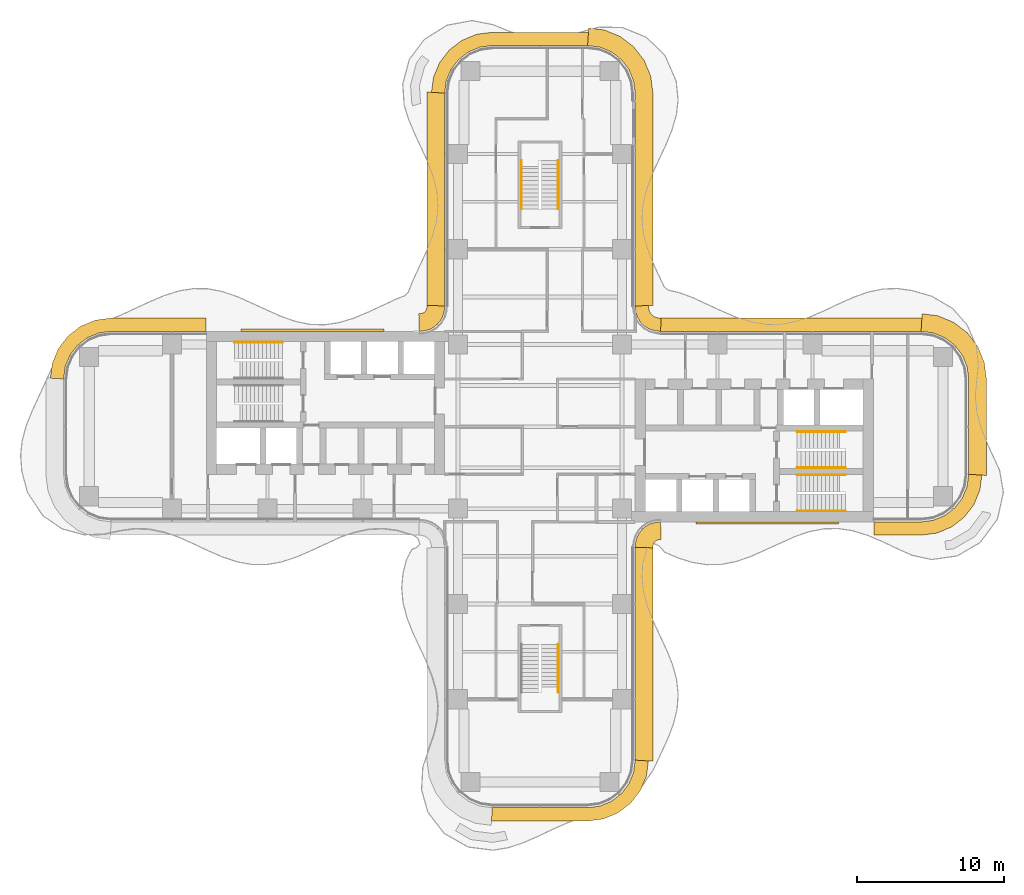
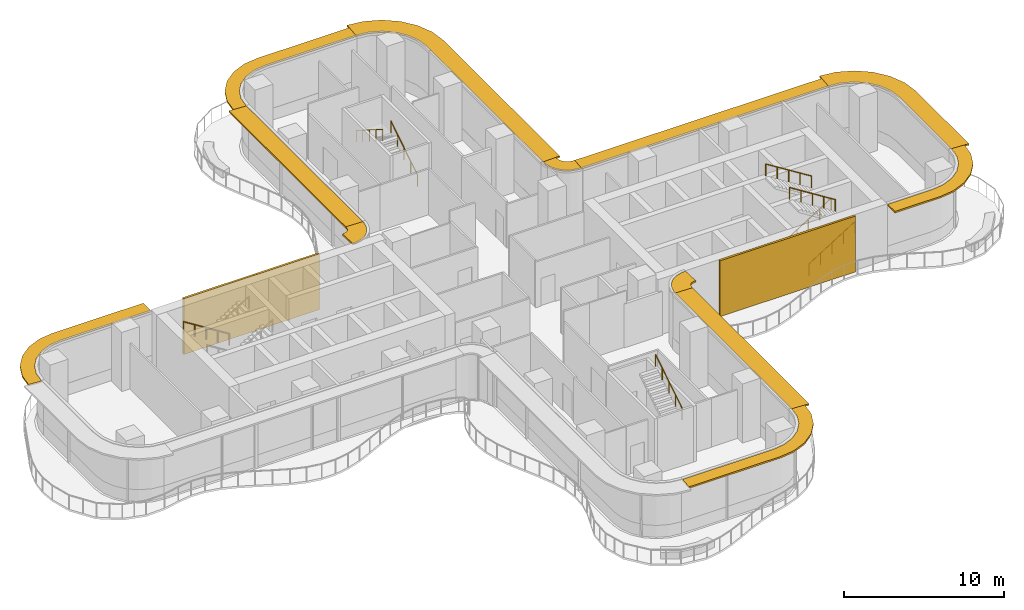
# One storey, part 20 of 20: 12 shading devices, 8 railings, 2 coverings.
"""IFC4 building model written with IfcOpenShell, lengths in metres."""

import ifcopenshell
import ifcopenshell.guid

model = None  # the IFC model being written
_history = None  # IfcOwnerHistory: only IFC2X3 demands one
_inside = {}  # id of a spatial element -> (the spatial element, [elements in it])
_under = {}  # id of a project, library or spatial element -> (it, [spatial elements below it])
_declared = {}  # id of a project -> (the project, [libraries it declares])
_typed = {}  # id of a type object -> (the type object, [elements of that type])
_made_of = {}  # id of a material, layer set ... -> (it, [elements and type objects made of it])


def new_model(schema):
    """Start an empty IFC model of exactly this schema.

    Asked for "IFC4X3", IfcOpenShell would pick the latest addendum, in which some entities
    have other attributes; the version numbers below select the first issue.
    IFC2X3 requires an IfcOwnerHistory on every rooted entity: one is made here for all.
    """
    global model, _history
    if schema == "IFC4X3":
        model = ifcopenshell.file(schema_version=(4, 3, 0, 0))
    else:
        model = ifcopenshell.file(schema=schema)
    _inside.clear()
    _under.clear()
    _declared.clear()
    _typed.clear()
    _made_of.clear()
    _history = None
    if model.schema == "IFC2X3":
        org = make("IfcOrganization", Name="unknown")
        user = make(
            "IfcPersonAndOrganization",
            ThePerson=make("IfcPerson", FamilyName="unknown"),
            TheOrganization=org,
        )
        app = make(
            "IfcApplication",
            ApplicationDeveloper=org,
            Version="unknown",
            ApplicationFullName="unknown",
            ApplicationIdentifier="unknown",
        )
        _history = make(
            "IfcOwnerHistory",
            OwningUser=user,
            OwningApplication=app,
            ChangeAction="ADDED",
            CreationDate=0,
        )
    return model


def make(cls, **values):
    """One entity of the class cls with the attributes given. An attribute that is None is left unset."""
    return model.create_entity(
        cls, **{name: value for name, value in values.items() if value is not None}
    )


def rooted(cls, **values):
    """An entity with a GlobalId (a new one), such as an element, a storey or a relation."""
    return make(cls, GlobalId=ifcopenshell.guid.new(), OwnerHistory=_history, **values)


def si_unit(unit_type, name, prefix=None):
    """IfcSIUnit, for example si_unit("LENGTHUNIT", "METRE", prefix="MILLI")."""
    return make("IfcSIUnit", UnitType=unit_type, Prefix=prefix, Name=name)


def assignment(units):
    """IfcUnitAssignment: the units of a project."""
    return None if units is None else make("IfcUnitAssignment", Units=units)


def point(xyz):
    """IfcCartesianPoint."""
    return None if xyz is None else make("IfcCartesianPoint", Coordinates=xyz)


def direction(xyz):
    """IfcDirection."""
    return None if xyz is None else make("IfcDirection", DirectionRatios=xyz)


def frame(location, z_axis=None, x_axis=None):
    """IfcAxis2Placement3D, a coordinate frame: its origin and axes. An axis left out is left unset."""
    return make(
        "IfcAxis2Placement3D",
        Location=point(location),
        Axis=direction(z_axis),
        RefDirection=direction(x_axis),
    )


def frame_2d(location, x_axis=None):
    """IfcAxis2Placement2D, a coordinate frame in the plane: its origin and x axis."""
    return make(
        "IfcAxis2Placement2D", Location=point(location), RefDirection=direction(x_axis)
    )


def origin():
    """The frame at (0, 0, 0) with its axes left unset."""
    return frame((0.0, 0.0, 0.0))


def origin_2d():
    """The frame at (0, 0) in the plane with its x axis left unset."""
    return frame_2d((0.0, 0.0))


def place(relative_to, where):
    """IfcLocalPlacement: puts the frame where relative to a parent placement (None: the world)."""
    return make(
        "IfcLocalPlacement", PlacementRelTo=relative_to, RelativePlacement=where
    )


def context(
    kind, dimensions, precision=None, world=None, true_north=None, identifier=None
):
    """IfcGeometricRepresentationContext, for example the 3D "Model" context."""
    return make(
        "IfcGeometricRepresentationContext",
        ContextIdentifier=identifier,
        ContextType=kind,
        CoordinateSpaceDimension=dimensions,
        Precision=precision,
        WorldCoordinateSystem=world,
        TrueNorth=true_north,
    )


def subcontext(parent, identifier, kind, view, scale=None):
    """IfcGeometricRepresentationSubContext, for example "Body" below "Model"."""
    return make(
        "IfcGeometricRepresentationSubContext",
        ContextIdentifier=identifier,
        ContextType=kind,
        ParentContext=parent,
        TargetScale=scale,
        TargetView=view,
    )


def project(units=None, contexts=None):
    """IfcProject with its units and contexts."""
    return rooted(
        "IfcProject",
        Name="project",
        RepresentationContexts=contexts,
        UnitsInContext=assignment(units),
    )


def spatial(cls, under=None, at=None, **own):
    """A site, building, storey or space (cls), placed at a placement, below another one or the project."""
    s = rooted(cls, ObjectPlacement=at, **own)
    if under is not None:
        _under.setdefault(under.id(), (under, []))[1].append(s)
    return s


def polyline(points):
    """IfcPolyline through the points."""
    return make("IfcPolyline", Points=[point(p) for p in points])


def profile(cls, at=None, kind="AREA", **sizes):
    """A parametric profile (cls). Its sizes go by their IFC names, for example OverallWidth=200.0."""
    return make(cls, ProfileType=kind, Position=at, **sizes)


def circle(**sizes):
    """IfcCircleProfileDef."""
    return profile("IfcCircleProfileDef", **sizes)


def outline(outer, holes=None, kind="AREA"):
    """IfcArbitraryClosedProfileDef: a profile drawn as a closed curve; with holes, ...WithVoids."""
    if holes is None:
        return make("IfcArbitraryClosedProfileDef", ProfileType=kind, OuterCurve=outer)
    return make(
        "IfcArbitraryProfileDefWithVoids",
        ProfileType=kind,
        OuterCurve=outer,
        InnerCurves=holes,
    )


def extrude(swept, where, along, depth):
    """IfcExtrudedAreaSolid: the profile swept, set in the frame where, extruded along a direction by depth."""
    return make(
        "IfcExtrudedAreaSolid",
        SweptArea=swept,
        Position=where,
        ExtrudedDirection=direction(along),
        Depth=depth,
    )


def shape(context_of_items, identifier, shape_type, items):
    """IfcShapeRepresentation: the items that make up one representation, for example the "Body"."""
    return make(
        "IfcShapeRepresentation",
        ContextOfItems=context_of_items,
        RepresentationIdentifier=identifier,
        RepresentationType=shape_type,
        Items=items,
    )


def source(mapping_origin, context_of_items, identifier, shape_type, items):
    """IfcRepresentationMap: a shape defined once, which mapped items show again and again."""
    return make(
        "IfcRepresentationMap",
        MappingOrigin=mapping_origin,
        MappedRepresentation=shape(context_of_items, identifier, shape_type, items),
    )


def transform(
    local_origin,
    x_axis=None,
    y_axis=None,
    z_axis=None,
    scale=None,
    scale2=None,
    scale3=None,
    uniform=True,
):
    """IfcCartesianTransformationOperator3D, or its non-uniform kind. x_axis, y_axis, z_axis: its Axis1, 2, 3."""
    if uniform:
        return make(
            "IfcCartesianTransformationOperator3D",
            Axis1=direction(x_axis),
            Axis2=direction(y_axis),
            LocalOrigin=point(local_origin),
            Scale=scale,
            Axis3=direction(z_axis),
        )
    return make(
        "IfcCartesianTransformationOperator3DnonUniform",
        Axis1=direction(x_axis),
        Axis2=direction(y_axis),
        LocalOrigin=point(local_origin),
        Scale=scale,
        Axis3=direction(z_axis),
        Scale2=scale2,
        Scale3=scale3,
    )


def mapped(mapping_source, mapping_target):
    """IfcMappedItem: shows the shape of a source again, moved by a transform."""
    return make(
        "IfcMappedItem", MappingSource=mapping_source, MappingTarget=mapping_target
    )


def material(Name=None, Category=None):
    """IfcMaterial."""
    return make("IfcMaterial", Name=Name, Category=Category)


def layer(
    of_material, thickness, ventilated=None, Name=None, Category=None, Priority=None
):
    """IfcMaterialLayer: one layer of a wall or slab, of a material (None: an air gap)."""
    return make(
        "IfcMaterialLayer",
        Material=of_material,
        LayerThickness=thickness,
        IsVentilated=ventilated,
        Name=Name,
        Category=Category,
        Priority=Priority,
    )


def layer_set(layers, Name=None):
    """IfcMaterialLayerSet."""
    return make("IfcMaterialLayerSet", MaterialLayers=layers, LayerSetName=Name)


def made_of(thing, what):
    """Note that an element or type object is made of a material, layer set ...; save() writes the relation."""
    if what is not None:
        _made_of.setdefault(what.id(), (what, []))[1].append(thing)
    return thing


def type_object(cls, material=None, **own):
    """A type object (cls), such as IfcWallType, which elements share."""
    return made_of(rooted(cls, **own), material)


def element(
    cls,
    number,
    at=None,
    inside=None,
    cuts=None,
    type_object=None,
    material=None,
    context=None,
    identifier="Body",
    shape_type=None,
    held_by="IfcProductDefinitionShape",
    body=None,
    shapes=None,
    **own,
):
    """One element of the class cls, such as IfcWall. Its Tag is "e" and its number.

    at: its placement. inside: the storey or other place that contains it. cuts: it is an
    opening in that element (IfcRelVoidsElement). A single representation is given by context,
    identifier, shape_type and body (its items); several are given by shapes. held_by: the class
    of the entity that holds the representations. save() writes the other relations.
    """
    e = rooted(cls, Tag="e%d" % number, ObjectPlacement=at, **own)
    if body is not None:
        shapes = [shape(context, identifier, shape_type, body)]
    if shapes is not None:
        e.Representation = make(held_by, Representations=shapes)
    if inside is not None:
        _inside.setdefault(inside.id(), (inside, []))[1].append(e)
    if cuts is not None:
        rooted(
            "IfcRelVoidsElement", RelatingBuildingElement=cuts, RelatedOpeningElement=e
        )
    if type_object is not None:
        _typed.setdefault(type_object.id(), (type_object, []))[1].append(e)
    return made_of(e, material)


def aggregate(whole, parts):
    """IfcRelAggregates: a whole, such as a stair, and the parts it consists of."""
    return rooted("IfcRelAggregates", RelatingObject=whole, RelatedObjects=parts)


def save(model, path):
    """Write the relations noted so far, then the file.

    IfcRelAggregates (storeys below a building ...), IfcRelContainedInSpatialStructure (elements
    in a storey), IfcRelDefinesByType, IfcRelAssociatesMaterial and IfcRelDeclares: one each for
    every whole, place, type object, material and project.
    """
    for whole, parts in _under.values():
        aggregate(whole, parts)
    for where, things in _inside.values():
        rooted(
            "IfcRelContainedInSpatialStructure",
            RelatedElements=things,
            RelatingStructure=where,
        )
    for kind, things in _typed.values():
        rooted("IfcRelDefinesByType", RelatedObjects=things, RelatingType=kind)
    for what, things in _made_of.values():
        rooted("IfcRelAssociatesMaterial", RelatedObjects=things, RelatingMaterial=what)
    for by, libraries in _declared.values():
        rooted("IfcRelDeclares", RelatingContext=by, RelatedDefinitions=libraries)
    model.write(path)


model = new_model("IFC4")

# Units and contexts
model_context = context("Model", 3, precision=1e-05, world=origin(), true_north=direction((0.0, 1.0)))
body_context = subcontext(model_context, "Body", "Model", "MODEL_VIEW")
ifc_project = project(units=[si_unit("LENGTHUNIT", "METRE"), si_unit("AREAUNIT", "SQUARE_METRE"), si_unit("VOLUMEUNIT", "CUBIC_METRE"), si_unit("PLANEANGLEUNIT", "RADIAN"), si_unit("MASSUNIT", "GRAM", prefix="KILO")], contexts=[model_context])

# Site, building, storey
site_placement = place(None, origin())
site = spatial("IfcSite", under=ifc_project, at=site_placement, CompositionType="ELEMENT")
building_placement = place(site_placement, origin())
building = spatial("IfcBuilding", under=site, at=building_placement, Name="Trellis Farm Tower", CompositionType="ELEMENT")
storey_placement = place(building_placement, frame((0.0, 0.0, 129.0)))
storey = spatial("IfcBuildingStorey", under=building, at=storey_placement, Name="L27", CompositionType="ELEMENT", Elevation=129.0)

# Railings
ifc_material_1 = material(Name="Stainless steel", Category="steel")
railing_type = type_object("IfcRailingType", Name="STAIR HANDRAIL 900", PredefinedType="HANDRAIL", material=ifc_material_1)
shared_shape_1 = source(origin(), body_context, "Body", "SweptSolid", [
    extrude(circle(Radius=0.02392578125, at=origin_2d()), frame((0.0, 0.0, 0.8759765625), z_axis=(0.0, 0.846319618018, 0.532675421018), x_axis=(-1.0, 0.0, 0.0)), (0.0, 0.0, 1.0), 3.89892578125),
    extrude(circle(Radius=0.02099609375, at=origin_2d()), origin(), (0.0, 0.0, 1.0), 0.851806640625),
    extrude(circle(Radius=0.02099609375, at=origin_2d()), frame((0.0, 0.824951171875, 0.519287109375)), (0.0, 0.0, 1.0), 0.851806640625),
    extrude(circle(Radius=0.02099609375, at=origin_2d()), frame((0.0, 1.64990234375, 1.03857421875)), (0.0, 0.0, 1.0), 0.851806640625),
    extrude(circle(Radius=0.02099609375, at=origin_2d()), frame((0.0, 2.474853515625, 1.5576171875)), (0.0, 0.0, 1.0), 0.851806640625),
    extrude(circle(Radius=0.02099609375, at=origin_2d()), frame((0.0, 3.2998046875, 2.076904296875)), (0.0, 0.0, 1.0), 0.851806640625),
])
for number, where, name in (
    (1, (1.25, 14.85009765625, 0.173095703125), "Stair handrail"),
    (2, (1.25, -18.14990234375, 2.423095703125), "Stair handrail"),
):
    element("IfcRailing", number, at=place(storey_placement, frame(where)), inside=storey, type_object=railing_type, Name=name, PredefinedType="HANDRAIL", context=body_context, shape_type="MappedRepresentation", body=[
        mapped(shared_shape_1, transform((0.0, 0.0, 0.0))),
    ])
shared_shape_2 = source(origin(), body_context, "Body", "SweptSolid", [
    extrude(circle(Radius=0.02392578125, at=origin_2d()), frame((0.0, 0.0, 0.8759765625), z_axis=(0.0, -0.846319618018, 0.532675421018), x_axis=(1.0, 0.0, 0.0)), (0.0, 0.0, 1.0), 3.89892578125),
    extrude(circle(Radius=0.02099609375, at=origin_2d()), origin(), (0.0, 0.0, 1.0), 0.851806640625),
    extrude(circle(Radius=0.02099609375, at=origin_2d()), frame((0.0, -0.824951171875, 0.519287109375)), (0.0, 0.0, 1.0), 0.851806640625),
    extrude(circle(Radius=0.02099609375, at=origin_2d()), frame((0.0, -1.64990234375, 1.03857421875)), (0.0, 0.0, 1.0), 0.851806640625),
    extrude(circle(Radius=0.02099609375, at=origin_2d()), frame((0.0, -2.474853515625, 1.5576171875)), (0.0, 0.0, 1.0), 0.851806640625),
    extrude(circle(Radius=0.02099609375, at=origin_2d()), frame((0.0, -3.2998046875, 2.076904296875)), (0.0, 0.0, 1.0), 0.851806640625),
])
railing_placement = place(storey_placement, frame((-1.25, 18.14990234375, 2.423095703125)))
element("IfcRailing", 3, at=railing_placement, inside=storey, type_object=railing_type, Name="Stair handrail", PredefinedType="HANDRAIL", context=body_context, shape_type="MappedRepresentation", body=[
    mapped(shared_shape_2, transform((0.0, 0.0, 0.0))),
])
shared_shape_3 = source(origin(), body_context, "Body", "SweptSolid", [
    extrude(circle(Radius=0.02392578125, at=origin_2d()), frame((0.0, 0.0, 0.8759765625), z_axis=(0.846337383501, 0.0, 0.532647194011), x_axis=(0.0, 1.0, 0.0)), (0.0, 0.0, 1.0), 3.899169921875),
    extrude(circle(Radius=0.02099609375, at=origin_2d()), origin(), (0.0, 0.0, 1.0), 0.851806640625),
    extrude(circle(Radius=0.02099609375, at=origin_2d()), frame((0.824951171875, 0.0, 0.519287109375)), (0.0, 0.0, 1.0), 0.851806640625),
    extrude(circle(Radius=0.02099609375, at=origin_2d()), frame((1.64990234375, 0.0, 1.03857421875)), (0.0, 0.0, 1.0), 0.851806640625),
    extrude(circle(Radius=0.02099609375, at=origin_2d()), frame((2.47509765625, 0.0, 1.5576171875)), (0.0, 0.0, 1.0), 0.851806640625),
    extrude(circle(Radius=0.02099609375, at=origin_2d()), frame((3.300048828125, 0.0, 2.076904296875)), (0.0, 0.0, 1.0), 0.851806640625),
])
for number, where, name in (
    (4, (17.550048828125, -5.75, 0.173095703125), "Stair handrail"),
    (5, (17.550048828125, -2.800048828125, 0.173095703125), "Stair handrail"),
):
    element("IfcRailing", number, at=place(storey_placement, frame(where)), inside=storey, type_object=railing_type, Name=name, PredefinedType="HANDRAIL", context=body_context, shape_type="MappedRepresentation", body=[
        mapped(shared_shape_3, transform((0.0, 0.0, 0.0))),
    ])
shared_shape_4 = source(origin(), body_context, "Body", "SweptSolid", [
    extrude(circle(Radius=0.02392578125, at=origin_2d()), frame((0.0, 0.0, 0.8759765625), z_axis=(-0.846337383501, 0.0, 0.532647194011), x_axis=(0.0, -1.0, 0.0)), (0.0, 0.0, 1.0), 3.899169921875),
    extrude(circle(Radius=0.02099609375, at=origin_2d()), origin(), (0.0, 0.0, 1.0), 0.851806640625),
    extrude(circle(Radius=0.02099609375, at=origin_2d()), frame((-0.824951171875, 0.0, 0.519287109375)), (0.0, 0.0, 1.0), 0.851806640625),
    extrude(circle(Radius=0.02099609375, at=origin_2d()), frame((-1.64990234375, 0.0, 1.03857421875)), (0.0, 0.0, 1.0), 0.851806640625),
    extrude(circle(Radius=0.02099609375, at=origin_2d()), frame((-2.47509765625, 0.0, 1.5576171875)), (0.0, 0.0, 1.0), 0.851806640625),
    extrude(circle(Radius=0.02099609375, at=origin_2d()), frame((-3.300048828125, 0.0, 2.076904296875)), (0.0, 0.0, 1.0), 0.851806640625),
])
for number, where, name in (
    (6, (20.85009765625, -3.300048828125, 2.423095703125), "Stair handrail"),
    (7, (20.85009765625, -0.35009765625, 2.423095703125), "Stair handrail"),
    (8, (-17.550048828125, 5.75, 0.173095703125), "Stair handrail"),
):
    element("IfcRailing", number, at=place(storey_placement, frame(where)), inside=storey, type_object=railing_type, Name=name, PredefinedType="HANDRAIL", context=body_context, shape_type="MappedRepresentation", body=[
        mapped(shared_shape_4, transform((0.0, 0.0, 0.0))),
    ])

# Shading devices
ifc_material_2 = material(Name="Aluminium extrusion 6063-T6", Category="aluminium")
ifc_layer_1 = layer(ifc_material_2, 0.1201171875)
ifc_layer_set_1 = layer_set([ifc_layer_1], Name="SUNSHADE BLADE 1200")
shading_device_type_1 = type_object("IfcShadingDeviceType", Name="SUNSHADE BLADE 1200", PredefinedType="USERDEFINED", material=ifc_layer_set_1)
shared_shape_5 = source(origin(), body_context, "Body", "SweptSolid", [
    extrude(outline(polyline([(7.699951171875, -8.270751953125), (7.708740234375, -8.13720703125), (7.70703125, -8.150146484375), (7.7548828125, -7.9716796875), (7.80712890625, -7.881103515625), (7.881103515625, -7.80712890625), (7.9716796875, -7.7548828125), (8.150146484375, -7.70703125), (8.13720703125, -7.708740234375), (8.270751953125, -7.699951171875), (8.2314453125, -6.5), (8.01953125, -6.513916015625), (7.91552734375, -6.527587890625), (7.508544921875, -6.63671875), (7.144287109375, -6.846923828125), (6.846923828125, -7.144287109375), (6.63671875, -7.508544921875), (6.527587890625, -7.91552734375), (6.513916015625, -8.01953125), (6.5, -8.2314453125), (7.699951171875, -8.270751953125)])), origin(), (0.0, 0.0, 1.0), 0.119873046875),
])
placement_1 = place(storey_placement, frame((0.0, 0.0, 4.090087890625)))
element("IfcShadingDevice", 9, at=placement_1, inside=storey, type_object=shading_device_type_1, Name="SD2 006", ObjectType="SUNSHADE", PredefinedType="USERDEFINED", context=body_context, shape_type="MappedRepresentation", body=[
    mapped(shared_shape_5, transform((0.0, 0.0, 0.0))),
])
ifc_layer_2 = layer(ifc_material_2, 0.1201171875)
ifc_layer_set_2 = layer_set([ifc_layer_2], Name="SUNSHADE BLADE 900")
shading_device_type_2 = type_object("IfcShadingDeviceType", Name="SUNSHADE BLADE 900", PredefinedType="USERDEFINED", material=ifc_layer_set_2)
shared_shape_6 = source(origin(), body_context, "Body", "SweptSolid", [
    extrude(outline(polyline([(8.2607421875, 7.39990234375), (8.107666015625, 7.409912109375), (8.091552734375, 7.412109375), (7.85595703125, 7.475341796875), (7.697021484375, 7.567138671875), (7.567138671875, 7.697021484375), (7.475341796875, 7.85595703125), (7.412109375, 8.091552734375), (7.409912109375, 8.107666015625), (7.39990234375, 8.2607421875), (6.5, 8.2314453125), (6.513916015625, 8.01953125), (6.527587890625, 7.91552734375), (6.63671875, 7.508544921875), (6.846923828125, 7.144287109375), (7.144287109375, 6.846923828125), (7.508544921875, 6.63671875), (7.91552734375, 6.527587890625), (8.01953125, 6.513916015625), (8.2314453125, 6.5), (8.2607421875, 7.39990234375)])), origin(), (0.0, 0.0, 1.0), 0.119873046875),
])
element("IfcShadingDevice", 10, at=placement_1, inside=storey, type_object=shading_device_type_2, Name="SD1 010", ObjectType="SUNSHADE", PredefinedType="USERDEFINED", context=body_context, shape_type="MappedRepresentation", body=[
    mapped(shared_shape_6, transform((0.0, 0.0, 0.0))),
])
shared_shape_7 = source(origin(), body_context, "Body", "SweptSolid", [
    extrude(outline(polyline([(-7.699951171875, 8.270751953125), (-7.708740234375, 8.13720703125), (-7.70703125, 8.150146484375), (-7.7548828125, 7.9716796875), (-7.80712890625, 7.881103515625), (-7.881103515625, 7.80712890625), (-7.9716796875, 7.7548828125), (-8.150146484375, 7.70703125), (-8.13720703125, 7.708740234375), (-8.270751953125, 7.699951171875), (-8.2314453125, 6.5), (-8.01953125, 6.513916015625), (-7.91552734375, 6.527587890625), (-7.508544921875, 6.63671875), (-7.144287109375, 6.846923828125), (-6.846923828125, 7.144287109375), (-6.63671875, 7.508544921875), (-6.527587890625, 7.91552734375), (-6.513916015625, 8.01953125), (-6.5, 8.2314453125), (-7.699951171875, 8.270751953125)])), origin(), (0.0, 0.0, 1.0), 0.119873046875),
])
element("IfcShadingDevice", 11, at=placement_1, inside=storey, type_object=shading_device_type_1, Name="SD2 014", ObjectType="SUNSHADE", PredefinedType="USERDEFINED", context=body_context, shape_type="MappedRepresentation", body=[
    mapped(shared_shape_7, transform((0.0, 0.0, 0.0))),
])
shared_shape_8 = source(origin(), body_context, "Body", "SweptSolid", [
    extrude(outline(polyline([(-22.780029296875, 7.39990234375), (-29.30908203125, 7.39990234375), (-30.326171875, 7.26611328125), (-31.328857421875, 6.850830078125), (-32.18994140625, 6.18994140625), (-32.850830078125, 5.328857421875), (-33.26611328125, 4.326171875), (-33.39990234375, 3.30908203125), (-32.5, 3.25), (-32.38916015625, 4.091064453125), (-32.064697265625, 4.875), (-31.548095703125, 5.548095703125), (-30.875, 6.064697265625), (-30.091064453125, 6.38916015625), (-29.25, 6.5), (-22.780029296875, 6.5), (-22.780029296875, 7.39990234375)])), origin(), (0.0, 0.0, 1.0), 0.119873046875),
])
element("IfcShadingDevice", 12, at=placement_1, inside=storey, type_object=shading_device_type_2, Name="SD1 015", ObjectType="SUNSHADE", PredefinedType="USERDEFINED", context=body_context, shape_type="MappedRepresentation", body=[
    mapped(shared_shape_8, transform((0.0, 0.0, 0.0))),
])

# Coverings
ifc_material_3 = material(Name="Perforated precast screen (cobogo)", Category="concrete")
ifc_layer_3 = layer(ifc_material_3, 0.14990234375)
ifc_layer_set_3 = layer_set([ifc_layer_3], Name="COBOGO SCREEN PANEL")
covering_type = type_object("IfcCoveringType", Name="COBOGO SCREEN PANEL", PredefinedType="USERDEFINED", material=ifc_layer_set_3)
shared_shape_9 = source(origin(), body_context, "Body", "SweptSolid", [
    extrude(outline(polyline([(10.630615234375, -6.64990234375), (20.380615234375, -6.64990234375), (20.380615234375, -6.5), (10.630615234375, -6.5), (10.630615234375, -6.64990234375)])), origin(), (0.0, 0.0, 1.0), 4.25),
])
placement_2 = place(storey_placement, origin())
element("IfcCovering", 13, at=placement_2, inside=storey, type_object=covering_type, Name="SC1 01", ObjectType="SCREEN", PredefinedType="USERDEFINED", context=body_context, shape_type="MappedRepresentation", body=[
    mapped(shared_shape_9, transform((0.0, 0.0, 0.0))),
])
shared_shape_10 = source(origin(), body_context, "Body", "SweptSolid", [
    extrude(outline(polyline([(-10.630615234375, 6.64990234375), (-20.380615234375, 6.64990234375), (-20.380615234375, 6.5), (-10.630615234375, 6.5), (-10.630615234375, 6.64990234375)])), origin(), (0.0, 0.0, 1.0), 4.25),
])
element("IfcCovering", 14, at=placement_2, inside=storey, type_object=covering_type, Name="SC1 02", ObjectType="SCREEN", PredefinedType="USERDEFINED", context=body_context, shape_type="MappedRepresentation", body=[
    mapped(shared_shape_10, transform((0.0, 0.0, 0.0))),
])

# Shading devices
shared_shape_11 = source(origin(), body_context, "Body", "SweptSolid", [
    extrude(outline(polyline([(7.699951171875, 8.270751953125), (7.699951171875, 22.82861328125), (7.558349609375, 23.904541015625), (7.11279296875, 24.980224609375), (6.404052734375, 25.904052734375), (5.480224609375, 26.61279296875), (4.404541015625, 27.058349609375), (3.32861328125, 27.199951171875), (3.25, 26.0), (4.091064453125, 25.88916015625), (4.875, 25.564697265625), (5.548095703125, 25.048095703125), (6.064697265625, 24.375), (6.38916015625, 23.591064453125), (6.5, 22.75), (6.5, 8.2314453125), (7.699951171875, 8.270751953125)])), origin(), (0.0, 0.0, 1.0), 0.119873046875),
])
element("IfcShadingDevice", 15, at=placement_1, inside=storey, type_object=shading_device_type_1, Name="SD2 011", ObjectType="SUNSHADE", PredefinedType="USERDEFINED", context=body_context, shape_type="MappedRepresentation", body=[
    mapped(shared_shape_11, transform((0.0, 0.0, 0.0))),
])
shared_shape_12 = source(origin(), body_context, "Body", "SweptSolid", [
    extrude(outline(polyline([(3.30908203125, 26.89990234375), (-3.30908203125, 26.89990234375), (-4.326171875, 26.76611328125), (-5.328857421875, 26.350830078125), (-6.18994140625, 25.68994140625), (-6.850830078125, 24.828857421875), (-7.26611328125, 23.826171875), (-7.39990234375, 22.80908203125), (-6.5, 22.75), (-6.38916015625, 23.591064453125), (-6.064697265625, 24.375), (-5.548095703125, 25.048095703125), (-4.875, 25.564697265625), (-4.091064453125, 25.88916015625), (-3.25, 26.0), (3.25, 26.0), (3.30908203125, 26.89990234375)])), origin(), (0.0, 0.0, 1.0), 0.119873046875),
])
element("IfcShadingDevice", 16, at=placement_1, inside=storey, type_object=shading_device_type_2, Name="SD1 012", ObjectType="SUNSHADE", PredefinedType="USERDEFINED", context=body_context, shape_type="MappedRepresentation", body=[
    mapped(shared_shape_12, transform((0.0, 0.0, 0.0))),
])
shared_shape_13 = source(origin(), body_context, "Body", "SweptSolid", [
    extrude(outline(polyline([(-7.699951171875, 22.82861328125), (-7.699951171875, 8.270751953125), (-6.5, 8.2314453125), (-6.5, 22.75), (-7.699951171875, 22.82861328125)])), origin(), (0.0, 0.0, 1.0), 0.119873046875),
])
element("IfcShadingDevice", 17, at=placement_1, inside=storey, type_object=shading_device_type_1, Name="SD2 013", ObjectType="SUNSHADE", PredefinedType="USERDEFINED", context=body_context, shape_type="MappedRepresentation", body=[
    mapped(shared_shape_13, transform((0.0, 0.0, 0.0))),
])
shared_shape_14 = source(origin(), body_context, "Body", "SweptSolid", [
    extrude(outline(polyline([(22.780029296875, -7.39990234375), (26.05908203125, -7.39990234375), (27.076171875, -7.26611328125), (28.078857421875, -6.850830078125), (28.93994140625, -6.18994140625), (29.600830078125, -5.328857421875), (30.01611328125, -4.326171875), (30.14990234375, -3.30908203125), (29.25, -3.25), (29.13916015625, -4.091064453125), (28.814697265625, -4.875), (28.298095703125, -5.548095703125), (27.625, -6.064697265625), (26.841064453125, -6.38916015625), (26.0, -6.5), (22.780029296875, -6.5), (22.780029296875, -7.39990234375)])), origin(), (0.0, 0.0, 1.0), 0.119873046875),
])
element("IfcShadingDevice", 18, at=placement_1, inside=storey, type_object=shading_device_type_2, Name="SD1 007", ObjectType="SUNSHADE", PredefinedType="USERDEFINED", context=body_context, shape_type="MappedRepresentation", body=[
    mapped(shared_shape_14, transform((0.0, 0.0, 0.0))),
])
shared_shape_15 = source(origin(), body_context, "Body", "SweptSolid", [
    extrude(outline(polyline([(30.449951171875, -3.32861328125), (30.449951171875, 3.32861328125), (30.308349609375, 4.404541015625), (29.86279296875, 5.480224609375), (29.154052734375, 6.404052734375), (28.230224609375, 7.11279296875), (27.154541015625, 7.558349609375), (26.07861328125, 7.699951171875), (26.0, 6.5), (26.841064453125, 6.38916015625), (27.625, 6.064697265625), (28.298095703125, 5.548095703125), (28.814697265625, 4.875), (29.13916015625, 4.091064453125), (29.25, 3.25), (29.25, -3.25), (30.449951171875, -3.32861328125)])), origin(), (0.0, 0.0, 1.0), 0.119873046875),
])
element("IfcShadingDevice", 19, at=placement_1, inside=storey, type_object=shading_device_type_1, Name="SD2 008", ObjectType="SUNSHADE", PredefinedType="USERDEFINED", context=body_context, shape_type="MappedRepresentation", body=[
    mapped(shared_shape_15, transform((0.0, 0.0, 0.0))),
])
shared_shape_16 = source(origin(), body_context, "Body", "SweptSolid", [
    extrude(outline(polyline([(26.05908203125, 7.39990234375), (8.2607421875, 7.39990234375), (8.2314453125, 6.5), (26.0, 6.5), (26.05908203125, 7.39990234375)])), origin(), (0.0, 0.0, 1.0), 0.119873046875),
])
element("IfcShadingDevice", 20, at=placement_1, inside=storey, type_object=shading_device_type_2, Name="SD1 009", ObjectType="SUNSHADE", PredefinedType="USERDEFINED", context=body_context, shape_type="MappedRepresentation", body=[
    mapped(shared_shape_16, transform((0.0, 0.0, 0.0))),
])
shared_shape_17 = source(origin(), body_context, "Body", "SweptSolid", [
    extrude(outline(polyline([(-3.30908203125, -26.89990234375), (3.30908203125, -26.89990234375), (4.326171875, -26.76611328125), (5.328857421875, -26.350830078125), (6.18994140625, -25.68994140625), (6.850830078125, -24.828857421875), (7.26611328125, -23.826171875), (7.39990234375, -22.80908203125), (6.5, -22.75), (6.38916015625, -23.591064453125), (6.064697265625, -24.375), (5.548095703125, -25.048095703125), (4.875, -25.564697265625), (4.091064453125, -25.88916015625), (3.25, -26.0), (-3.25, -26.0), (-3.30908203125, -26.89990234375)])), origin(), (0.0, 0.0, 1.0), 0.119873046875),
])
element("IfcShadingDevice", 21, at=placement_1, inside=storey, type_object=shading_device_type_2, Name="SD1 004", ObjectType="SUNSHADE", PredefinedType="USERDEFINED", context=body_context, shape_type="MappedRepresentation", body=[
    mapped(shared_shape_17, transform((0.0, 0.0, 0.0))),
])
shared_shape_18 = source(origin(), body_context, "Body", "SweptSolid", [
    extrude(outline(polyline([(7.699951171875, -22.82861328125), (7.699951171875, -8.270751953125), (6.5, -8.2314453125), (6.5, -22.75), (7.699951171875, -22.82861328125)])), origin(), (0.0, 0.0, 1.0), 0.119873046875),
])
element("IfcShadingDevice", 22, at=placement_1, inside=storey, type_object=shading_device_type_1, Name="SD2 005", ObjectType="SUNSHADE", PredefinedType="USERDEFINED", context=body_context, shape_type="MappedRepresentation", body=[
    mapped(shared_shape_18, transform((0.0, 0.0, 0.0))),
])

save(model, "model.ifc")
